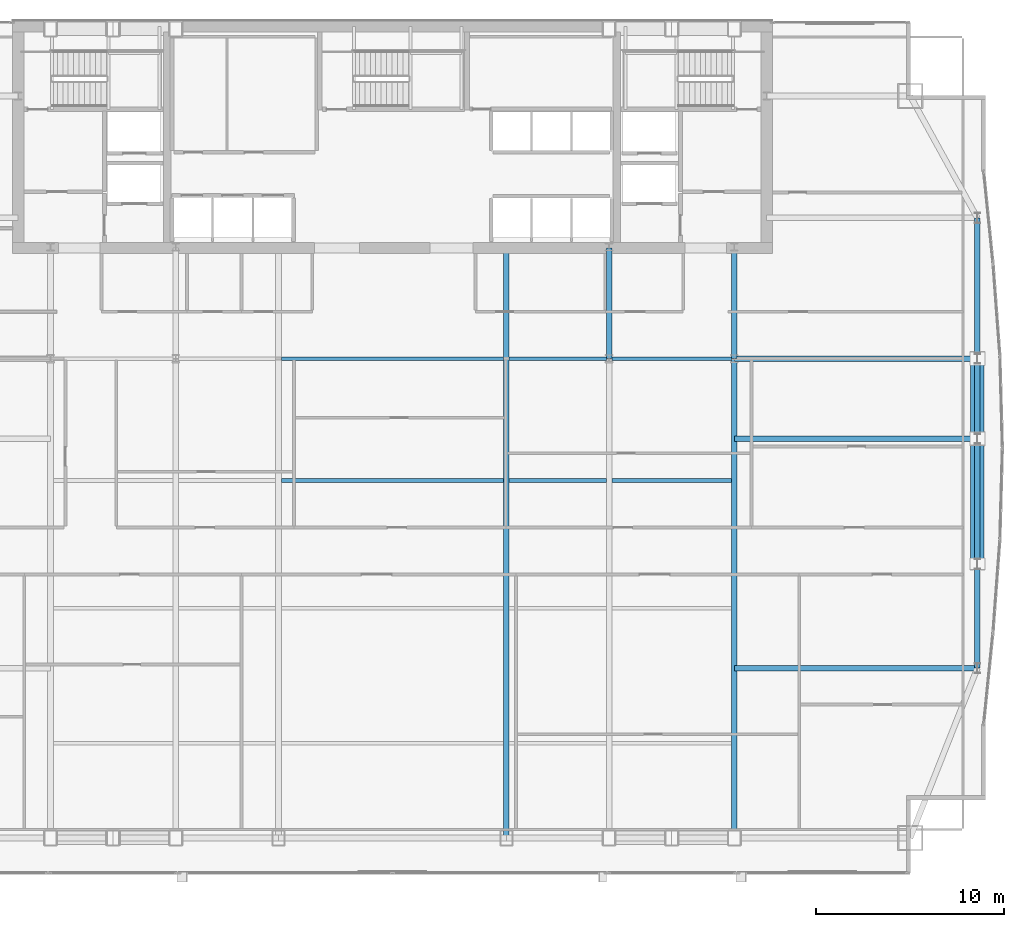
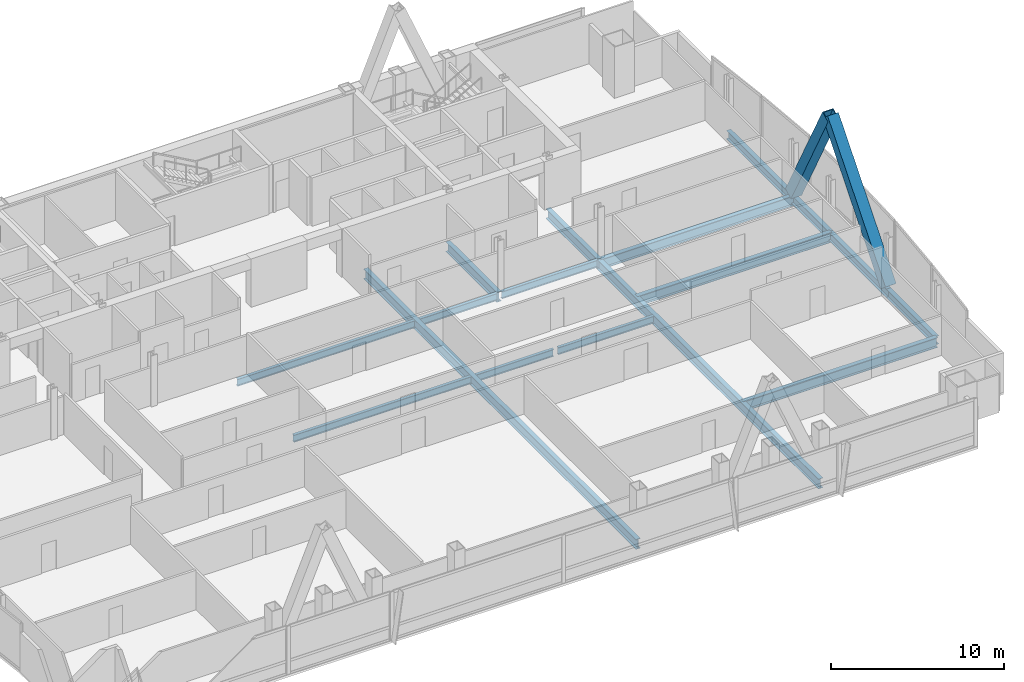
# One storey, part 16 of 29: 17 beams, 2 members.
"""IFC4 building model written with IfcOpenShell, lengths in metres."""

from ifc_helpers import new_model, si_unit, direction, frame, origin, origin_2d, place, context, subcontext, project, spatial, hollow_rectangle, i_section, extrude, material, material_profile, profile_set, type_object, element, save


model = new_model("IFC4")

# Units and contexts
model_context = context("Model", 3, precision=1e-05, world=origin(), true_north=direction((0.0, 1.0)))
body_context = subcontext(model_context, "Body", "Model", "MODEL_VIEW")
ifc_project = project(units=[si_unit("LENGTHUNIT", "METRE"), si_unit("AREAUNIT", "SQUARE_METRE"), si_unit("VOLUMEUNIT", "CUBIC_METRE"), si_unit("PLANEANGLEUNIT", "RADIAN"), si_unit("MASSUNIT", "GRAM", prefix="KILO")], contexts=[model_context])

# Site, building, storey
site_placement = place(None, origin())
site = spatial("IfcSite", under=ifc_project, at=site_placement, CompositionType="ELEMENT")
building_placement = place(site_placement, origin())
building = spatial("IfcBuilding", under=site, at=building_placement, Name="Khoronbel Lancet Exchange", CompositionType="ELEMENT")
storey_placement = place(building_placement, frame((0.0, 0.0, 180.60009765625)))
storey = spatial("IfcBuildingStorey", under=building, at=storey_placement, Name="L45", CompositionType="ELEMENT", Elevation=180.60009765625)

# Beams
ifc_material_1 = material(Name="Steel S355", Category="steel")
ifc_material_profile_1 = material_profile(ifc_material_1, i_section(OverallWidth=0.300048828125, OverallDepth=0.699951171875, WebThickness=0.01708984375, FlangeThickness=0.031982421875, at=origin_2d()), Name="HEB 700")
ifc_profile_set_1 = profile_set([ifc_material_profile_1], Name="Steel S355")
beam_type_1 = type_object("IfcBeamType", Name="BM-BG3", PredefinedType="BEAM", material=ifc_profile_set_1)
beam_1_placement = place(storey_placement, frame((42.52490234375, 10.14990234375, -0.510009765625), z_axis=(0.0, 1.0, 0.0), x_axis=(-1.0, 0.0, 0.0)))
element("IfcBeam", 1, at=beam_1_placement, inside=storey, type_object=beam_type_1, Name="Level L45 primary floor girder G4", PredefinedType="BEAM", context=body_context, shape_type="SweptSolid", body=[
    extrude(i_section(OverallWidth=0.300048828125, OverallDepth=0.699951171875, WebThickness=0.01708984375, FlangeThickness=0.031982421875, at=origin_2d()), origin(), (0.0, 0.0, 1.0), 31.4501953125),
])
beam_2_placement = place(storey_placement, frame((48.0, 35.699951171875, -0.510009765625), z_axis=(0.0, 1.0, 0.0), x_axis=(-1.0, 0.0, 0.0)))
element("IfcBeam", 2, at=beam_2_placement, inside=storey, type_object=beam_type_1, Name="Level L45 spine tie girder GN5", PredefinedType="BEAM", context=body_context, shape_type="SweptSolid", body=[
    extrude(i_section(OverallWidth=0.300048828125, OverallDepth=0.699951171875, WebThickness=0.01708984375, FlangeThickness=0.031982421875, at=origin_2d()), origin(), (0.0, 0.0, 1.0), 5.900146484375),
])
beam_3_placement = place(storey_placement, frame((54.675048828125, 10.14990234375, -0.510009765625), z_axis=(0.0, 1.0, 0.0), x_axis=(-1.0, 0.0, 0.0)))
element("IfcBeam", 3, at=beam_3_placement, inside=storey, type_object=beam_type_1, Name="Level L45 south primary girder GS6", PredefinedType="BEAM", context=body_context, shape_type="SweptSolid", body=[
    extrude(i_section(OverallWidth=0.300048828125, OverallDepth=0.699951171875, WebThickness=0.01708984375, FlangeThickness=0.031982421875, at=origin_2d()), origin(), (0.0, 0.0, 1.0), 25.550048828125),
])
beam_4_placement = place(storey_placement, frame((54.675048828125, 35.699951171875, -0.510009765625), z_axis=(0.0, 1.0, 0.0), x_axis=(-1.0, 0.0, 0.0)))
element("IfcBeam", 4, at=beam_4_placement, inside=storey, type_object=beam_type_1, Name="Level L45 spine tie girder GN6", PredefinedType="BEAM", context=body_context, shape_type="SweptSolid", body=[
    extrude(i_section(OverallWidth=0.300048828125, OverallDepth=0.699951171875, WebThickness=0.01708984375, FlangeThickness=0.031982421875, at=origin_2d()), origin(), (0.0, 0.0, 1.0), 5.900146484375),
])
for number, where, z_axis, x_axis, name in (
    (5, (54.675048828125, 19.199951171875, -0.510009765625), (1.0, 0.0, 0.0), (0.0, 1.0, 0.0), "Level L45 east lens tie girder LG1E"),
    (6, (54.675048828125, 31.425048828125, -0.510009765625), (1.0, 0.0, 0.0), (0.0, 1.0, 0.0), "Level L45 east lens tie girder LG2E"),
    (7, (54.675048828125, 35.699951171875, -0.510009765625), (1.0, 0.0, 0.0), (0.0, 1.0, 0.0), "Level L45 east lens tie girder LG4E"),
):
    element("IfcBeam", number, at=place(storey_placement, frame(where, z_axis=z_axis, x_axis=x_axis)), inside=storey, type_object=beam_type_1, Name=name, PredefinedType="BEAM", context=body_context, shape_type="SweptSolid", body=[
        extrude(i_section(OverallWidth=0.300048828125, OverallDepth=0.699951171875, WebThickness=0.01708984375, FlangeThickness=0.031982421875, at=origin_2d()), origin(), (0.0, 0.0, 1.0), 12.954833984375),
    ])
ifc_material_profile_2 = material_profile(ifc_material_1, i_section(OverallWidth=0.199951171875, OverallDepth=0.5, WebThickness=0.01025390625, FlangeThickness=0.01611328125, at=origin_2d()), Name="IPE 500")
ifc_profile_set_2 = profile_set([ifc_material_profile_2], Name="Steel S355")
beam_type_2 = type_object("IfcBeamType", Name="BM-BJ3", PredefinedType="JOIST", material=ifc_profile_set_2)
beam_5_placement = place(storey_placement, frame((30.52490234375, 29.199951171875, -0.41015625), z_axis=(1.0, 0.0, 0.0), x_axis=(0.0, 1.0, 0.0)))
element("IfcBeam", 8, at=beam_5_placement, inside=storey, type_object=beam_type_2, Name="Level L45 secondary composite joist J13", PredefinedType="JOIST", context=body_context, shape_type="SweptSolid", body=[
    extrude(i_section(OverallWidth=0.199951171875, OverallDepth=0.5, WebThickness=0.01025390625, FlangeThickness=0.01611328125, at=origin_2d()), origin(), (0.0, 0.0, 1.0), 11.85009765625),
])
beam_6_placement = place(storey_placement, frame((42.675048828125, 29.199951171875, -0.41015625), z_axis=(1.0, 0.0, 0.0), x_axis=(0.0, 1.0, 0.0)))
element("IfcBeam", 9, at=beam_6_placement, inside=storey, type_object=beam_type_2, Name="Level L45 secondary composite joist J14", PredefinedType="JOIST", context=body_context, shape_type="SweptSolid", body=[
    extrude(i_section(OverallWidth=0.199951171875, OverallDepth=0.5, WebThickness=0.01025390625, FlangeThickness=0.01611328125, at=origin_2d()), origin(), (0.0, 0.0, 1.0), 5.175048828125),
])
beam_7_placement = place(storey_placement, frame((48.14990234375, 29.199951171875, -0.41015625), z_axis=(1.0, 0.0, 0.0), x_axis=(0.0, 1.0, 0.0)))
element("IfcBeam", 10, at=beam_7_placement, inside=storey, type_object=beam_type_2, Name="Level L45 secondary composite joist J15", PredefinedType="JOIST", context=body_context, shape_type="SweptSolid", body=[
    extrude(i_section(OverallWidth=0.199951171875, OverallDepth=0.5, WebThickness=0.01025390625, FlangeThickness=0.01611328125, at=origin_2d()), origin(), (0.0, 0.0, 1.0), 6.375),
])
beam_8_placement = place(storey_placement, frame((30.52490234375, 35.699951171875, -0.41015625), z_axis=(1.0, 0.0, 0.0), x_axis=(0.0, 1.0, 0.0)))
element("IfcBeam", 11, at=beam_8_placement, inside=storey, type_object=beam_type_2, Name="Level L45 secondary composite joist J18", PredefinedType="JOIST", context=body_context, shape_type="SweptSolid", body=[
    extrude(i_section(OverallWidth=0.199951171875, OverallDepth=0.5, WebThickness=0.01025390625, FlangeThickness=0.01611328125, at=origin_2d()), origin(), (0.0, 0.0, 1.0), 11.85009765625),
])
beam_9_placement = place(storey_placement, frame((42.675048828125, 35.699951171875, -0.41015625), z_axis=(1.0, 0.0, 0.0), x_axis=(0.0, 1.0, 0.0)))
element("IfcBeam", 12, at=beam_9_placement, inside=storey, type_object=beam_type_2, Name="Level L45 secondary composite joist J19", PredefinedType="JOIST", context=body_context, shape_type="SweptSolid", body=[
    extrude(i_section(OverallWidth=0.199951171875, OverallDepth=0.5, WebThickness=0.01025390625, FlangeThickness=0.01611328125, at=origin_2d()), origin(), (0.0, 0.0, 1.0), 5.175048828125),
])
beam_10_placement = place(storey_placement, frame((48.14990234375, 35.699951171875, -0.41015625), z_axis=(1.0, 0.0, 0.0), x_axis=(0.0, 1.0, 0.0)))
element("IfcBeam", 13, at=beam_10_placement, inside=storey, type_object=beam_type_2, Name="Level L45 secondary composite joist J20", PredefinedType="JOIST", context=body_context, shape_type="SweptSolid", body=[
    extrude(i_section(OverallWidth=0.199951171875, OverallDepth=0.5, WebThickness=0.01025390625, FlangeThickness=0.01611328125, at=origin_2d()), origin(), (0.0, 0.0, 1.0), 6.375),
])
ifc_material_profile_3 = material_profile(ifc_material_1, i_section(OverallWidth=0.300048828125, OverallDepth=0.60009765625, WebThickness=0.015380859375, FlangeThickness=0.030029296875, at=origin_2d()), Name="HEB 600")
ifc_profile_set_3 = profile_set([ifc_material_profile_3], Name="Steel S355")
beam_type_3 = type_object("IfcBeamType", Name="BM-BSP2", PredefinedType="SPANDREL", material=ifc_profile_set_3)
beam_11_placement = place(storey_placement, frame((67.6298828125, 19.199951171875, -0.460205078125), z_axis=(0.0, 1.0, 0.0), x_axis=(-1.0, 0.0, 0.0)))
element("IfcBeam", 14, at=beam_11_placement, inside=storey, type_object=beam_type_3, Name="Level L45 perimeter spandrel beam SP11", PredefinedType="SPANDREL", context=body_context, shape_type="SweptSolid", body=[
    extrude(i_section(OverallWidth=0.300048828125, OverallDepth=0.60009765625, WebThickness=0.015380859375, FlangeThickness=0.030029296875, at=origin_2d()), origin(), (0.0, 0.0, 1.0), 5.550048828125),
])
beam_12_placement = place(storey_placement, frame((67.6298828125, 24.75, -0.460205078125), z_axis=(0.0, 1.0, 0.0), x_axis=(-1.0, 0.0, 0.0)))
element("IfcBeam", 15, at=beam_12_placement, inside=storey, type_object=beam_type_3, Name="Level L45 perimeter spandrel beam SP12", PredefinedType="SPANDREL", context=body_context, shape_type="SweptSolid", body=[
    extrude(i_section(OverallWidth=0.300048828125, OverallDepth=0.60009765625, WebThickness=0.015380859375, FlangeThickness=0.030029296875, at=origin_2d()), origin(), (0.0, 0.0, 1.0), 6.675048828125),
])
beam_13_placement = place(storey_placement, frame((67.6298828125, 31.425048828125, -0.460205078125), z_axis=(0.0, 1.0, 0.0), x_axis=(-1.0, 0.0, 0.0)))
element("IfcBeam", 16, at=beam_13_placement, inside=storey, type_object=beam_type_3, Name="Level L45 perimeter spandrel beam SP13", PredefinedType="SPANDREL", context=body_context, shape_type="SweptSolid", body=[
    extrude(i_section(OverallWidth=0.300048828125, OverallDepth=0.60009765625, WebThickness=0.015380859375, FlangeThickness=0.030029296875, at=origin_2d()), origin(), (0.0, 0.0, 1.0), 4.27490234375),
])
beam_14_placement = place(storey_placement, frame((67.6298828125, 35.699951171875, -0.460205078125), z_axis=(0.0, 1.0, 0.0), x_axis=(-1.0, 0.0, 0.0)))
element("IfcBeam", 17, at=beam_14_placement, inside=storey, type_object=beam_type_3, Name="Level L45 perimeter spandrel beam SP14", PredefinedType="SPANDREL", context=body_context, shape_type="SweptSolid", body=[
    extrude(i_section(OverallWidth=0.300048828125, OverallDepth=0.60009765625, WebThickness=0.015380859375, FlangeThickness=0.030029296875, at=origin_2d()), origin(), (0.0, 0.0, 1.0), 7.5),
])

# Members
ifc_material_2 = material(Name="Steel S460", Category="steel")
ifc_material_profile_4 = material_profile(ifc_material_2, hollow_rectangle(XDim=0.719970703125, YDim=0.719970703125, WallThickness=0.050048828125, at=origin_2d()), Name="BOX 720x720x50")
ifc_profile_set_4 = profile_set([ifc_material_profile_4], Name="Steel S460")
member_type = type_object("IfcMemberType", Name="MEM-MB2", PredefinedType="BRACE", material=ifc_profile_set_4)
member_1_placement = place(storey_placement, frame((67.6298828125, 24.75, 0.0), z_axis=(0.0, 0.640659067021, 0.76782547486), x_axis=(-1.0, 0.0, 0.0)))
element("IfcMember", 18, at=member_1_placement, inside=storey, type_object=member_type, Name="Perimeter lancet brace tier 15 E-P-L", PredefinedType="BRACE", context=body_context, shape_type="SweptSolid", body=[
    extrude(hollow_rectangle(XDim=0.719970703125, YDim=0.719970703125, WallThickness=0.050048828125, at=origin_2d()), origin(), (0.0, 0.0, 1.0), 10.4189453125),
])
member_2_placement = place(storey_placement, frame((67.6298828125, 35.699951171875, 0.0), z_axis=(0.0, -0.471294972251, 0.881975651098), x_axis=(1.0, 0.0, 0.0)))
element("IfcMember", 19, at=member_2_placement, inside=storey, type_object=member_type, Name="Perimeter lancet brace tier 15 E-P-R", PredefinedType="BRACE", context=body_context, shape_type="SweptSolid", body=[
    extrude(hollow_rectangle(XDim=0.719970703125, YDim=0.719970703125, WallThickness=0.050048828125, at=origin_2d()), origin(), (0.0, 0.0, 1.0), 9.070556640625),
])

save(model, "model.ifc")
